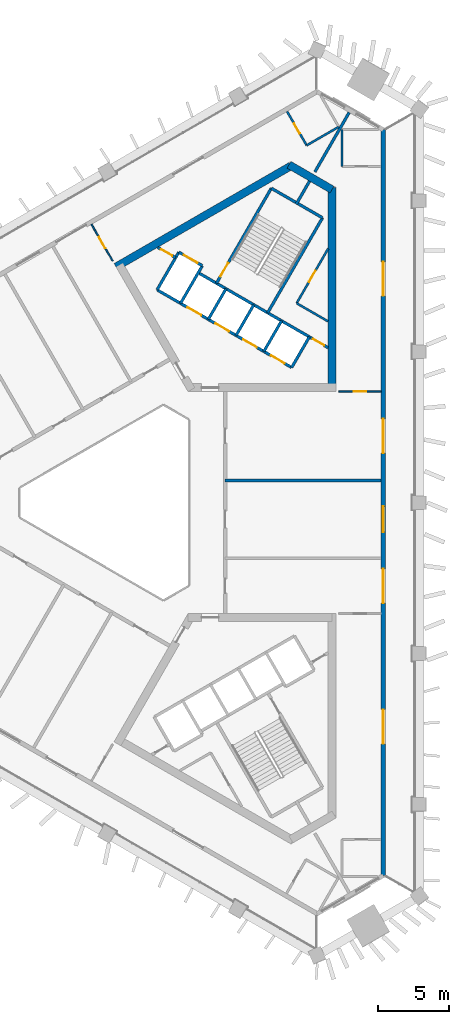
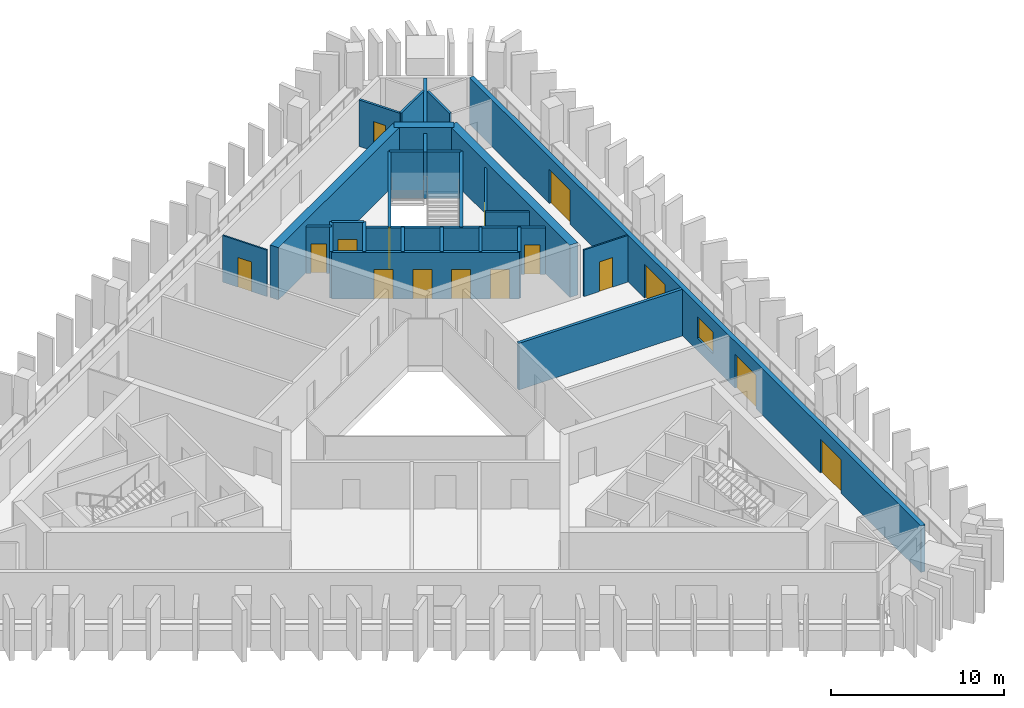
# One storey, part 5 of 9: 27 walls, 16 doors, 1 window, 17 openings.
"""IFC4 building model written with IfcOpenShell, lengths in metres."""

from ifc_helpers import new_model, si_unit, direction, frame, frame_2d, origin, place, context, subcontext, project, spatial, rectangle, extrude, material, layer, layer_set, type_object, element, fill, save


model = new_model("IFC4")

# Units and contexts
model_context = context("Model", 3, precision=1e-05, world=origin(), true_north=direction((0.0, 1.0)))
body_context = subcontext(model_context, "Body", "Model", "MODEL_VIEW")
ifc_project = project(units=[si_unit("LENGTHUNIT", "METRE"), si_unit("AREAUNIT", "SQUARE_METRE"), si_unit("VOLUMEUNIT", "CUBIC_METRE"), si_unit("PLANEANGLEUNIT", "RADIAN"), si_unit("MASSUNIT", "GRAM", prefix="KILO")], contexts=[model_context])

# Site, building, storey
site_placement = place(None, origin())
site = spatial("IfcSite", under=ifc_project, at=site_placement, CompositionType="ELEMENT")
building_placement = place(site_placement, origin())
building = spatial("IfcBuilding", under=site, at=building_placement, Name="Jabali Bay Hotel Tower and Convention Centre", CompositionType="ELEMENT")
storey_placement = place(building_placement, frame((0.0, 0.0, 193.300048828125)))
storey = spatial("IfcBuildingStorey", under=building, at=storey_placement, Name="L47", CompositionType="ELEMENT", Elevation=193.300048828125)

# Wall
ifc_material_1 = material(Name="Concrete C40", Category="concrete")
ifc_layer_1 = layer(ifc_material_1, 0.199951171875)
ifc_layer_set_1 = layer_set([ifc_layer_1], Name="Concrete C40")
wall_type_1 = type_object("IfcWallType", Name="Core partition wall 200", PredefinedType="PARTITIONING", material=ifc_layer_set_1)
wall_1_placement = place(storey_placement, frame((87.090087890625, 100.9404296875, 0.0), z_axis=(0.0, 0.0, 1.0), x_axis=(0.499951854219, 0.86605319898, 0.0)))
element("IfcWall", 1, at=wall_1_placement, inside=storey, type_object=wall_type_1, Name="Core wall 1.5 L47", PredefinedType="PARTITIONING", context=body_context, shape_type="SweptSolid", body=[
    extrude(rectangle(XDim=1.873291015625, YDim=0.199951171875, at=frame_2d((0.9365234375, 0.0))), origin(), (0.0, 0.0, 1.0), 3.300048828125),
])

# Wall, opening, door
wall_2_placement = place(storey_placement, frame((78.630126953125, 97.187744140625, 0.0), z_axis=(0.0, 0.0, 1.0), x_axis=(-0.866003949776, 0.500037157592, 0.0)))
wall_2 = element("IfcWall", 2, at=wall_2_placement, inside=storey, type_object=wall_type_1, Name="Core wall 1.12 L47", PredefinedType="PARTITIONING", context=body_context, shape_type="SweptSolid", body=[
    extrude(rectangle(XDim=1.455078125, YDim=0.199951171875, at=frame_2d((0.7275390625, 0.0))), origin(), (0.0, 0.0, 1.0), 3.300048828125),
])
opening_1_placement = place(wall_2_placement, frame((0.277587890625, 0.0, 0.0)))
opening_1 = element("IfcOpeningElement", 3, at=opening_1_placement, cuts=wall_2, Name="Opening D1018", PredefinedType="OPENING", context=body_context, shape_type="SweptSolid", body=[
    extrude(rectangle(XDim=0.89990234375, YDim=2.10009765625, at=frame_2d((0.449951171875, 1.050048828125))), frame((0.0, 0.1103515625, 0.0), z_axis=(0.0, -1.0, 0.0), x_axis=(1.0, 0.0, 0.0)), (0.0, 0.0, 1.0), 0.220947265625),
])
ifc_material_2 = material(Name="Fire-rated steel door", Category="steel")
door_type_1 = type_object("IfcDoorType", Name="Vestibule fire door 900 x 2100", OperationType="NOTDEFINED", PredefinedType="NOTDEFINED", material=ifc_material_2)
door_1_placement = place(opening_1_placement, origin())
door_1 = element("IfcDoor", 4, at=door_1_placement, inside=storey, type_object=door_type_1, Name="Vestibule fire door D1018", OperationType="SINGLE_SWING_LEFT", OverallHeight=2.10009765625, OverallWidth=0.89990234375, PredefinedType="NOTDEFINED", context=body_context, shape_type="SweptSolid", body=[
    extrude(rectangle(XDim=0.89990234375, YDim=2.10009765625, at=frame_2d((0.449951171875, 1.050048828125))), frame((0.0, 0.02490234375, 0.0), z_axis=(0.0, -1.0, 0.0), x_axis=(1.0, 0.0, 0.0)), (0.0, 0.0, 1.0), 0.050048828125),
])
fill(opening_1, door_1)

ifc_material_3 = material(Name="Fire-rated board partition")
ifc_layer_2 = layer(ifc_material_3, 0.14990234375)
ifc_layer_set_2 = layer_set([ifc_layer_2], Name="Fire-rated board partition")
wall_type_2 = type_object("IfcWallType", Name="Core room partition 150", PredefinedType="PARTITIONING", material=ifc_layer_set_2)
wall_3_placement = place(storey_placement, frame((87.12109375, 93.994384765625, 0.0), z_axis=(0.0, 0.0, 1.0), x_axis=(0.500014254795, 0.866017173618, 0.0)))
wall_3 = element("IfcWall", 5, at=wall_3_placement, inside=storey, type_object=wall_type_2, Name="Core wall 1.1 L47", PredefinedType="PARTITIONING", context=body_context, shape_type="SweptSolid", body=[
    extrude(rectangle(XDim=4.417724609375, YDim=0.14990234375, at=frame_2d((2.208984375, 0.0))), origin(), (0.0, 0.0, 1.0), 3.300048828125),
])
opening_2_placement = place(wall_3_placement, frame((1.7314453125, 0.0, 0.0)))
opening_2 = element("IfcOpeningElement", 6, at=opening_2_placement, cuts=wall_3, Name="Opening D1021", PredefinedType="OPENING", context=body_context, shape_type="SweptSolid", body=[
    extrude(rectangle(XDim=0.89990234375, YDim=2.10009765625, at=frame_2d((0.449951171875, 1.050048828125))), frame((0.0, 0.08544921875, 0.0), z_axis=(0.0, -1.0, 0.0), x_axis=(1.0, 0.0, 0.0)), (0.0, 0.0, 1.0), 0.1708984375),
])
door_type_2 = type_object("IfcDoorType", Name="Core room door 900 x 2100", OperationType="NOTDEFINED", PredefinedType="NOTDEFINED", material=ifc_material_2)
door_2_placement = place(opening_2_placement, origin())
door_2 = element("IfcDoor", 7, at=door_2_placement, inside=storey, type_object=door_type_2, Name="Core room door D1021", OperationType="SINGLE_SWING_LEFT", OverallHeight=2.10009765625, OverallWidth=0.89990234375, PredefinedType="NOTDEFINED", context=body_context, shape_type="SweptSolid", body=[
    extrude(rectangle(XDim=0.89990234375, YDim=2.10009765625, at=frame_2d((0.449951171875, 1.050048828125))), frame((0.0, 0.02490234375, 0.0), z_axis=(0.0, -1.0, 0.0), x_axis=(1.0, 0.0, 0.0)), (0.0, 0.0, 1.0), 0.050048828125),
])
fill(opening_2, door_2)

# Walls
wall_4_placement = place(storey_placement, frame((89.330078125, 92.718994140625, 0.0), z_axis=(0.0, 0.0, 1.0), x_axis=(-0.866019818373, 0.500009674092, 0.0)))
element("IfcWall", 8, at=wall_4_placement, inside=storey, type_object=wall_type_2, Name="Core wall 1.14 L47", PredefinedType="PARTITIONING", context=body_context, shape_type="SweptSolid", body=[
    extrude(rectangle(XDim=2.55078125, YDim=0.14990234375, at=frame_2d((1.275390625, 0.0))), origin(), (0.0, 0.0, 1.0), 3.300048828125),
])
ifc_layer_3 = layer(ifc_material_1, 0.199951171875)
ifc_layer_set_3 = layer_set([ifc_layer_3], Name="Concrete C40")
wall_type_3 = type_object("IfcWallType", Name="Core stair wall 200", PredefinedType="SOLIDWALL", material=ifc_layer_set_3)
for number, where, z_axis, x_axis, name in (
    (9, (86.769775390625, 89.48583984375, 0.0), (0.0, 0.0, 1.0), (0.499961042966, 0.86604789447, 0.0), "Core wall 1.0 L47"),
    (10, (84.8212890625, 90.61083984375, 0.0), (0.0, 0.0, 1.0), (0.499961042966, 0.86604789447, 0.0), "Core wall 1.2 L47"),
):
    element("IfcWall", number, at=place(storey_placement, frame(where, z_axis=z_axis, x_axis=x_axis)), inside=storey, type_object=wall_type_3, Name=name, PredefinedType="SOLIDWALL", context=body_context, shape_type="SweptSolid", body=[
        extrude(rectangle(XDim=2.480224609375, YDim=0.199951171875, at=frame_2d((1.240234375, 0.0))), origin(), (0.0, 0.0, 1.0), 3.300048828125),
    ])
wall_5_placement = place(storey_placement, frame((85.0869140625, 93.3212890625, 0.0), z_axis=(0.0, 0.0, 1.0), x_axis=(0.500019787375, 0.866013979237, 0.0)))
element("IfcWall", 11, at=wall_5_placement, inside=storey, type_object=wall_type_3, Name="Core wall 1.3 L47", PredefinedType="SOLIDWALL", context=body_context, shape_type="SweptSolid", body=[
    extrude(rectangle(XDim=7.699951171875, YDim=0.199951171875, at=frame_2d((3.85009765625, 0.0))), origin(), (0.0, 0.0, 1.0), 3.300048828125),
])
for number, where, z_axis, x_axis, name in (
    (12, (82.872802734375, 91.73583984375, 0.0), (0.0, 0.0, 1.0), (0.499961042966, 0.86604789447, 0.0), "Core wall 1.4 L47"),
    (13, (80.924072265625, 92.86083984375, 0.0), (0.0, 0.0, 1.0), (0.499961042966, 0.86604789447, 0.0), "Core wall 1.6 L47"),
):
    element("IfcWall", number, at=place(storey_placement, frame(where, z_axis=z_axis, x_axis=x_axis)), inside=storey, type_object=wall_type_3, Name=name, PredefinedType="SOLIDWALL", context=body_context, shape_type="SweptSolid", body=[
        extrude(rectangle(XDim=2.480224609375, YDim=0.199951171875, at=frame_2d((1.240234375, 0.0))), origin(), (0.0, 0.0, 1.0), 3.300048828125),
    ])

# Wall, opening, door
wall_6_placement = place(storey_placement, frame((81.492919921875, 95.396240234375, 0.0), z_axis=(0.0, 0.0, 1.0), x_axis=(0.500006057782, 0.866021906294, 0.0)))
wall_6 = element("IfcWall", 14, at=wall_6_placement, inside=storey, type_object=wall_type_3, Name="Core wall 1.7 L47", PredefinedType="SOLIDWALL", context=body_context, shape_type="SweptSolid", body=[
    extrude(rectangle(XDim=7.7001953125, YDim=0.199951171875, at=frame_2d((3.85009765625, 0.0))), origin(), (0.0, 0.0, 1.0), 3.300048828125),
])
opening_3_placement = place(wall_6_placement, frame((0.550048828125, 0.0, 0.0)))
opening_3 = element("IfcOpeningElement", 15, at=opening_3_placement, cuts=wall_6, Name="Opening D1020", PredefinedType="OPENING", context=body_context, shape_type="SweptSolid", body=[
    extrude(rectangle(XDim=1.10009765625, YDim=2.10009765625, at=frame_2d((0.550048828125, 1.050048828125))), frame((0.0, 0.1103515625, 0.0), z_axis=(0.0, -1.0, 0.0), x_axis=(1.0, 0.0, 0.0)), (0.0, 0.0, 1.0), 0.220947265625),
])
door_type_3 = type_object("IfcDoorType", Name="Stair fire door 1100 x 2100", OperationType="NOTDEFINED", PredefinedType="NOTDEFINED", material=ifc_material_2)
door_3_placement = place(opening_3_placement, origin())
door_3 = element("IfcDoor", 16, at=door_3_placement, inside=storey, type_object=door_type_3, Name="Stair fire door D1020", OperationType="SINGLE_SWING_RIGHT", OverallHeight=2.10009765625, OverallWidth=1.10009765625, PredefinedType="NOTDEFINED", context=body_context, shape_type="SweptSolid", body=[
    extrude(rectangle(XDim=1.10009765625, YDim=2.10009765625, at=frame_2d((0.550048828125, 1.050048828125))), frame((0.0, 0.02490234375, 0.0), z_axis=(0.0, -1.0, 0.0), x_axis=(1.0, 0.0, 0.0)), (0.0, 0.0, 1.0), 0.050048828125),
])
fill(opening_3, door_3)

# Walls
for number, where, z_axis, x_axis, name in (
    (17, (78.9755859375, 93.98583984375, 0.0), (0.0, 0.0, 1.0), (0.499944174705, 0.866057632134, 0.0), "Core wall 1.8 L47"),
    (18, (77.330078125, 94.93603515625, 0.0), (0.0, 0.0, 1.0), (0.500038867431, 0.8660029625, 0.0), "Core wall 1.9 L47"),
):
    element("IfcWall", number, at=place(storey_placement, frame(where, z_axis=z_axis, x_axis=x_axis)), inside=storey, type_object=wall_type_3, Name=name, PredefinedType="SOLIDWALL", context=body_context, shape_type="SweptSolid", body=[
        extrude(rectangle(XDim=3.050048828125, YDim=0.199951171875, at=frame_2d((1.52490234375, 0.0))), origin(), (0.0, 0.0, 1.0), 3.300048828125),
    ])

# Wall, openings, doors
wall_7_placement = place(storey_placement, frame((86.769775390625, 89.48583984375, 0.0), z_axis=(0.0, 0.0, 1.0), x_axis=(-0.86601811187, 0.500012629753, 0.0)))
wall_7 = element("IfcWall", 19, at=wall_7_placement, inside=storey, type_object=wall_type_3, Name="Core wall 1.10 L47", PredefinedType="SOLIDWALL", context=body_context, shape_type="SweptSolid", body=[
    extrude(rectangle(XDim=10.900146484375, YDim=0.199951171875, at=frame_2d((5.4501953125, 0.0))), origin(), (0.0, 0.0, 1.0), 3.300048828125),
])
opening_4_placement = place(wall_7_placement, frame((0.574951171875, 0.0, 0.0)))
opening_4 = element("IfcOpeningElement", 20, at=opening_4_placement, cuts=wall_7, Name="Opening LD6-L47", PredefinedType="OPENING", context=body_context, shape_type="SweptSolid", body=[
    extrude(rectangle(XDim=1.10009765625, YDim=2.10009765625, at=frame_2d((0.550048828125, 1.050048828125))), frame((0.0, 0.1103515625, 0.0), z_axis=(0.0, -1.0, 0.0), x_axis=(1.0, 0.0, 0.0)), (0.0, 0.0, 1.0), 0.220947265625),
])
opening_5_placement = place(wall_7_placement, frame((2.824951171875, 0.0, 0.0)))
opening_5 = element("IfcOpeningElement", 21, at=opening_5_placement, cuts=wall_7, Name="Opening LD7-L47", PredefinedType="OPENING", context=body_context, shape_type="SweptSolid", body=[
    extrude(rectangle(XDim=1.10009765625, YDim=2.10009765625, at=frame_2d((0.550048828125, 1.050048828125))), frame((0.0, 0.1103515625, 0.0), z_axis=(0.0, -1.0, 0.0), x_axis=(1.0, 0.0, 0.0)), (0.0, 0.0, 1.0), 0.220947265625),
])
opening_6_placement = place(wall_7_placement, frame((5.074951171875, 0.0, 0.0)))
opening_6 = element("IfcOpeningElement", 22, at=opening_6_placement, cuts=wall_7, Name="Opening LD8-L47", PredefinedType="OPENING", context=body_context, shape_type="SweptSolid", body=[
    extrude(rectangle(XDim=1.10009765625, YDim=2.10009765625, at=frame_2d((0.550048828125, 1.050048828125))), frame((0.0, 0.1103515625, 0.0), z_axis=(0.0, -1.0, 0.0), x_axis=(1.0, 0.0, 0.0)), (0.0, 0.0, 1.0), 0.220947265625),
])
opening_7_placement = place(wall_7_placement, frame((7.324951171875, 0.0, 0.0)))
opening_7 = element("IfcOpeningElement", 23, at=opening_7_placement, cuts=wall_7, Name="Opening LD9-L47", PredefinedType="OPENING", context=body_context, shape_type="SweptSolid", body=[
    extrude(rectangle(XDim=1.10009765625, YDim=2.10009765625, at=frame_2d((0.550048828125, 1.050048828125))), frame((0.0, 0.1103515625, 0.0), z_axis=(0.0, -1.0, 0.0), x_axis=(1.0, 0.0, 0.0)), (0.0, 0.0, 1.0), 0.220947265625),
])
ifc_material_4 = material(Name="Stainless steel landing door", Category="steel")
door_type_4 = type_object("IfcDoorType", Name="Landing door 1100 x 2100", OperationType="NOTDEFINED", PredefinedType="NOTDEFINED", material=ifc_material_4)
door_4_placement = place(opening_4_placement, origin())
door_4 = element("IfcDoor", 24, at=door_4_placement, inside=storey, type_object=door_type_4, Name="Landing doors LD6-L47", OperationType="SLIDING_TO_RIGHT", OverallHeight=2.10009765625, OverallWidth=1.10009765625, PredefinedType="NOTDEFINED", context=body_context, shape_type="SweptSolid", body=[
    extrude(rectangle(XDim=1.10009765625, YDim=2.10009765625, at=frame_2d((0.550048828125, 1.050048828125))), frame((0.0, 0.02490234375, 0.0), z_axis=(0.0, -1.0, 0.0), x_axis=(1.0, 0.0, 0.0)), (0.0, 0.0, 1.0), 0.050048828125),
])
fill(opening_4, door_4)
door_5_placement = place(opening_5_placement, origin())
door_5 = element("IfcDoor", 25, at=door_5_placement, inside=storey, type_object=door_type_4, Name="Landing doors LD7-L47", OperationType="SLIDING_TO_LEFT", OverallHeight=2.10009765625, OverallWidth=1.10009765625, PredefinedType="NOTDEFINED", context=body_context, shape_type="SweptSolid", body=[
    extrude(rectangle(XDim=1.10009765625, YDim=2.10009765625, at=frame_2d((0.550048828125, 1.050048828125))), frame((0.0, 0.02490234375, 0.0), z_axis=(0.0, -1.0, 0.0), x_axis=(1.0, 0.0, 0.0)), (0.0, 0.0, 1.0), 0.050048828125),
])
fill(opening_5, door_5)
door_6_placement = place(opening_6_placement, origin())
door_6 = element("IfcDoor", 26, at=door_6_placement, inside=storey, type_object=door_type_4, Name="Landing doors LD8-L47", OperationType="SLIDING_TO_RIGHT", OverallHeight=2.10009765625, OverallWidth=1.10009765625, PredefinedType="NOTDEFINED", context=body_context, shape_type="SweptSolid", body=[
    extrude(rectangle(XDim=1.10009765625, YDim=2.10009765625, at=frame_2d((0.550048828125, 1.050048828125))), frame((0.0, 0.02490234375, 0.0), z_axis=(0.0, -1.0, 0.0), x_axis=(1.0, 0.0, 0.0)), (0.0, 0.0, 1.0), 0.050048828125),
])
fill(opening_6, door_6)
door_7_placement = place(opening_7_placement, origin())
door_7 = element("IfcDoor", 27, at=door_7_placement, inside=storey, type_object=door_type_4, Name="Landing doors LD9-L47", OperationType="SLIDING_TO_LEFT", OverallHeight=2.10009765625, OverallWidth=1.10009765625, PredefinedType="NOTDEFINED", context=body_context, shape_type="SweptSolid", body=[
    extrude(rectangle(XDim=1.10009765625, YDim=2.10009765625, at=frame_2d((0.550048828125, 1.050048828125))), frame((0.0, 0.02490234375, 0.0), z_axis=(0.0, -1.0, 0.0), x_axis=(1.0, 0.0, 0.0)), (0.0, 0.0, 1.0), 0.050048828125),
])
fill(opening_7, door_7)

# Wall, opening, door
wall_8_placement = place(storey_placement, frame((89.330078125, 90.87158203125, 0.0), z_axis=(0.0, 0.0, 1.0), x_axis=(-0.866027589512, 0.49999621419, 0.0)))
wall_8 = element("IfcWall", 28, at=wall_8_placement, inside=storey, type_object=wall_type_3, Name="Core wall 1.11 L47", PredefinedType="SOLIDWALL", context=body_context, shape_type="SweptSolid", body=[
    extrude(rectangle(XDim=10.5244140625, YDim=0.199951171875, at=frame_2d((5.26220703125, 0.0))), origin(), (0.0, 0.0, 1.0), 3.300048828125),
])
opening_8_placement = place(wall_8_placement, frame((0.312255859375, 0.0, 0.0)))
opening_8 = element("IfcOpeningElement", 29, at=opening_8_placement, cuts=wall_8, Name="Opening D1019", PredefinedType="OPENING", context=body_context, shape_type="SweptSolid", body=[
    extrude(rectangle(XDim=0.89990234375, YDim=2.10009765625, at=frame_2d((0.449951171875, 1.050048828125))), frame((0.0, 0.1103515625, 0.0), z_axis=(0.0, -1.0, 0.0), x_axis=(1.0, 0.0, 0.0)), (0.0, 0.0, 1.0), 0.220947265625),
])
door_8_placement = place(opening_8_placement, origin())
door_8 = element("IfcDoor", 30, at=door_8_placement, inside=storey, type_object=door_type_1, Name="Vestibule fire door D1019", OperationType="SINGLE_SWING_LEFT", OverallHeight=2.10009765625, OverallWidth=0.89990234375, PredefinedType="NOTDEFINED", context=body_context, shape_type="SweptSolid", body=[
    extrude(rectangle(XDim=0.89990234375, YDim=2.10009765625, at=frame_2d((0.449951171875, 1.050048828125))), frame((0.0, 0.02490234375, 0.0), z_axis=(0.0, -1.0, 0.0), x_axis=(1.0, 0.0, 0.0)), (0.0, 0.0, 1.0), 0.050048828125),
])
fill(opening_8, door_8)

wall_9_placement = place(storey_placement, frame((80.50048828125, 96.62744140625, 0.0), z_axis=(0.0, 0.0, 1.0), x_axis=(-0.86601224135, 0.500022797313, 0.0)))
wall_9 = element("IfcWall", 31, at=wall_9_placement, inside=storey, type_object=wall_type_3, Name="Core wall 1.13 L47", PredefinedType="SOLIDWALL", context=body_context, shape_type="SweptSolid", body=[
    extrude(rectangle(XDim=1.89990234375, YDim=0.199951171875, at=frame_2d((0.949951171875, 0.0))), origin(), (0.0, 0.0, 1.0), 3.300048828125),
])
opening_9_placement = place(wall_9_placement, frame((0.39990234375, 0.0, 0.0)))
opening_9 = element("IfcOpeningElement", 32, at=opening_9_placement, cuts=wall_9, Name="Opening LD10-L47", PredefinedType="OPENING", context=body_context, shape_type="SweptSolid", body=[
    extrude(rectangle(XDim=1.10009765625, YDim=2.10009765625, at=frame_2d((0.550048828125, 1.050048828125))), frame((0.0, 0.1103515625, 0.0), z_axis=(0.0, -1.0, 0.0), x_axis=(1.0, 0.0, 0.0)), (0.0, 0.0, 1.0), 0.220947265625),
])
door_9_placement = place(opening_9_placement, origin())
door_9 = element("IfcDoor", 33, at=door_9_placement, inside=storey, type_object=door_type_4, Name="Landing doors LD10-L47", OperationType="SLIDING_TO_RIGHT", OverallHeight=2.10009765625, OverallWidth=1.10009765625, PredefinedType="NOTDEFINED", context=body_context, shape_type="SweptSolid", body=[
    extrude(rectangle(XDim=1.10009765625, YDim=2.10009765625, at=frame_2d((0.550048828125, 1.050048828125))), frame((0.0, 0.02490234375, 0.0), z_axis=(0.0, -1.0, 0.0), x_axis=(1.0, 0.0, 0.0)), (0.0, 0.0, 1.0), 0.050048828125),
])
fill(opening_9, door_9)

# Walls
wall_10_placement = place(storey_placement, frame((88.93701171875, 99.989501953125, 0.0), z_axis=(0.0, 0.0, 1.0), x_axis=(-0.866004344652, 0.500036473714, 0.0)))
element("IfcWall", 34, at=wall_10_placement, inside=storey, type_object=wall_type_3, Name="Core wall 1.15 L47", PredefinedType="SOLIDWALL", context=body_context, shape_type="SweptSolid", body=[
    extrude(rectangle(XDim=4.150146484375, YDim=0.199951171875, at=frame_2d((2.0751953125, 0.0))), origin(), (0.0, 0.0, 1.0), 3.300048828125),
])
ifc_material_5 = material(Name="Concrete C60", Category="concrete")
ifc_layer_4 = layer(ifc_material_5, 0.550048828125)
ifc_layer_set_4 = layer_set([ifc_layer_4], Name="Concrete C60")
wall_type_4 = type_object("IfcWallType", Name="Core wall 550", PredefinedType="SHEAR", material=ifc_layer_set_4)
wall_11_placement = place(storey_placement, frame((89.60498046875, 88.0693359375, 0.0), z_axis=(0.0, 0.0, 1.0), x_axis=(0.0, 1.0, 0.0)))
element("IfcWall", 35, at=wall_11_placement, inside=storey, type_object=wall_type_4, Name="Core wall 2.2 L47", PredefinedType="SHEAR", context=body_context, shape_type="SweptSolid", body=[
    extrude(rectangle(XDim=14.058349609375, YDim=0.550048828125, at=frame_2d((7.029296875, 0.0))), origin(), (0.0, 0.0, 1.0), 3.699951171875),
])
wall_12_placement = place(storey_placement, frame((89.60498046875, 101.96875, 0.0), z_axis=(0.0, 0.0, 1.0), x_axis=(-0.865997833373, 0.500047750313, 0.0)))
element("IfcWall", 36, at=wall_12_placement, inside=storey, type_object=wall_type_4, Name="Core wall 2.3 L47", PredefinedType="SHEAR", context=body_context, shape_type="SweptSolid", body=[
    extrude(rectangle(XDim=3.486572265625, YDim=0.550048828125, at=frame_2d((1.7431640625, 0.0))), origin(), (0.0, 0.0, 1.0), 3.699951171875),
])
wall_13_placement = place(storey_placement, frame((86.72314453125, 103.6328125, 0.0), z_axis=(0.0, 0.0, 1.0), x_axis=(-0.866023530946, -0.500003243837, 0.0)))
element("IfcWall", 37, at=wall_13_placement, inside=storey, type_object=wall_type_4, Name="Core wall 2.4 L47", PredefinedType="SHEAR", context=body_context, shape_type="SweptSolid", body=[
    extrude(rectangle(XDim=14.1748046875, YDim=0.550048828125, at=frame_2d((7.08740234375, 0.0))), origin(), (0.0, 0.0, 1.0), 3.699951171875),
])

# Wall, openings, doors, window
ifc_layer_5 = layer(ifc_material_1, 0.300048828125)
ifc_layer_set_5 = layer_set([ifc_layer_5], Name="Concrete C40")
wall_type_5 = type_object("IfcWallType", Name="External wall 300", PredefinedType="SOLIDWALL", material=ifc_layer_set_5)
wall_14_placement = place(storey_placement, frame((93.203125, 106.17333984375, 0.0), z_axis=(0.0, 0.0, 1.0), x_axis=(0.0, -1.0, 0.0)))
wall_14 = element("IfcWall", 38, at=wall_14_placement, inside=storey, type_object=wall_type_5, Name="External wall east face L47", PredefinedType="SOLIDWALL", context=body_context, shape_type="SweptSolid", body=[
    extrude(rectangle(XDim=52.3466796875, YDim=0.300048828125, at=frame_2d((26.17333984375, 0.0))), origin(), (0.0, 0.0, 1.0), 3.300048828125),
])
opening_10_placement = place(wall_14_placement, frame((30.819091796875, 0.0, 0.0)))
opening_10 = element("IfcOpeningElement", 39, at=opening_10_placement, cuts=wall_14, Name="Opening SD1", PredefinedType="OPENING", context=body_context, shape_type="SweptSolid", body=[
    extrude(rectangle(XDim=2.39990234375, YDim=2.39990234375, at=frame_2d((1.199951171875, 1.199951171875))), frame((0.0, 0.16064453125, 0.0), z_axis=(0.0, -1.0, 0.0), x_axis=(1.0, 0.0, 0.0)), (0.0, 0.0, 1.0), 0.321044921875),
])
opening_11_placement = place(wall_14_placement, frame((40.700439453125, 0.0, 0.0)))
opening_11 = element("IfcOpeningElement", 40, at=opening_11_placement, cuts=wall_14, Name="Opening SD1", PredefinedType="OPENING", context=body_context, shape_type="SweptSolid", body=[
    extrude(rectangle(XDim=2.39990234375, YDim=2.39990234375, at=frame_2d((1.199951171875, 1.199951171875))), frame((0.0, 0.16064453125, 0.0), z_axis=(0.0, -1.0, 0.0), x_axis=(1.0, 0.0, 0.0)), (0.0, 0.0, 1.0), 0.321044921875),
])
opening_12_placement = place(wall_14_placement, frame((20.296875, 0.0, 0.0)))
opening_12 = element("IfcOpeningElement", 41, at=opening_12_placement, cuts=wall_14, Name="Opening SD1", PredefinedType="OPENING", context=body_context, shape_type="SweptSolid", body=[
    extrude(rectangle(XDim=2.39990234375, YDim=2.39990234375, at=frame_2d((1.199951171875, 1.199951171875))), frame((0.0, 0.16064453125, 0.0), z_axis=(0.0, -1.0, 0.0), x_axis=(1.0, 0.0, 0.0)), (0.0, 0.0, 1.0), 0.321044921875),
])
opening_13_placement = place(wall_14_placement, frame((9.27001953125, 0.0, 0.0)))
opening_13 = element("IfcOpeningElement", 42, at=opening_13_placement, cuts=wall_14, Name="Opening SD1", PredefinedType="OPENING", context=body_context, shape_type="SweptSolid", body=[
    extrude(rectangle(XDim=2.39990234375, YDim=2.39990234375, at=frame_2d((1.199951171875, 1.199951171875))), frame((0.0, 0.16064453125, 0.0), z_axis=(0.0, -1.0, 0.0), x_axis=(1.0, 0.0, 0.0)), (0.0, 0.0, 1.0), 0.321044921875),
])
opening_14_placement = place(wall_14_placement, frame((26.4423828125, 0.0, 0.89990234375)))
opening_14 = element("IfcOpeningElement", 43, at=opening_14_placement, cuts=wall_14, Name="Opening W1", PredefinedType="OPENING", context=body_context, shape_type="SweptSolid", body=[
    extrude(rectangle(XDim=1.800048828125, YDim=1.5, at=frame_2d((0.89990234375, 0.75))), frame((0.0, 0.16064453125, 0.0), z_axis=(0.0, -1.0, 0.0), x_axis=(1.0, 0.0, 0.0)), (0.0, 0.0, 1.0), 0.321044921875),
])
ifc_material_6 = material(Name="Glass", Category="glass")
door_type_5 = type_object("IfcDoorType", Name="Loggia sliding door 2400 x 2400", OperationType="NOTDEFINED", PredefinedType="NOTDEFINED", material=ifc_material_6)
door_10_placement = place(opening_10_placement, origin())
door_10 = element("IfcDoor", 44, at=door_10_placement, inside=storey, type_object=door_type_5, Name="Loggia sliding door 4701", OperationType="SLIDING_TO_LEFT", OverallHeight=2.39990234375, OverallWidth=2.39990234375, PredefinedType="NOTDEFINED", context=body_context, shape_type="SweptSolid", body=[
    extrude(rectangle(XDim=2.39990234375, YDim=2.39990234375, at=frame_2d((1.199951171875, 1.199951171875))), frame((0.0, 0.02490234375, 0.0), z_axis=(0.0, -1.0, 0.0), x_axis=(1.0, 0.0, 0.0)), (0.0, 0.0, 1.0), 0.050048828125),
])
fill(opening_10, door_10)
door_11_placement = place(opening_11_placement, origin())
door_11 = element("IfcDoor", 45, at=door_11_placement, inside=storey, type_object=door_type_5, Name="Loggia sliding door 4701", OperationType="SLIDING_TO_RIGHT", OverallHeight=2.39990234375, OverallWidth=2.39990234375, PredefinedType="NOTDEFINED", context=body_context, shape_type="SweptSolid", body=[
    extrude(rectangle(XDim=2.39990234375, YDim=2.39990234375, at=frame_2d((1.199951171875, 1.199951171875))), frame((0.0, 0.02490234375, 0.0), z_axis=(0.0, -1.0, 0.0), x_axis=(1.0, 0.0, 0.0)), (0.0, 0.0, 1.0), 0.050048828125),
])
fill(opening_11, door_11)
door_12_placement = place(opening_12_placement, origin())
door_12 = element("IfcDoor", 46, at=door_12_placement, inside=storey, type_object=door_type_5, Name="Loggia sliding door 4702", OperationType="SLIDING_TO_LEFT", OverallHeight=2.39990234375, OverallWidth=2.39990234375, PredefinedType="NOTDEFINED", context=body_context, shape_type="SweptSolid", body=[
    extrude(rectangle(XDim=2.39990234375, YDim=2.39990234375, at=frame_2d((1.199951171875, 1.199951171875))), frame((0.0, 0.02490234375, 0.0), z_axis=(0.0, -1.0, 0.0), x_axis=(1.0, 0.0, 0.0)), (0.0, 0.0, 1.0), 0.050048828125),
])
fill(opening_12, door_12)
door_13_placement = place(opening_13_placement, origin())
door_13 = element("IfcDoor", 47, at=door_13_placement, inside=storey, type_object=door_type_5, Name="Loggia sliding door 4702", OperationType="SLIDING_TO_RIGHT", OverallHeight=2.39990234375, OverallWidth=2.39990234375, PredefinedType="NOTDEFINED", context=body_context, shape_type="SweptSolid", body=[
    extrude(rectangle(XDim=2.39990234375, YDim=2.39990234375, at=frame_2d((1.199951171875, 1.199951171875))), frame((0.0, 0.02490234375, 0.0), z_axis=(0.0, -1.0, 0.0), x_axis=(1.0, 0.0, 0.0)), (0.0, 0.0, 1.0), 0.050048828125),
])
fill(opening_13, door_13)
window_type = type_object("IfcWindowType", Name="Window 1800 x 1500", PartitioningType="SINGLE_PANEL", PredefinedType="WINDOW", material=ifc_material_6)
window_placement = place(opening_14_placement, origin())
window = element("IfcWindow", 48, at=window_placement, inside=storey, type_object=window_type, Name="Window", OverallHeight=1.5, OverallWidth=1.800048828125, PartitioningType="SINGLE_PANEL", PredefinedType="WINDOW", context=body_context, shape_type="SweptSolid", body=[
    extrude(rectangle(XDim=1.800048828125, YDim=1.5, at=frame_2d((0.89990234375, 0.75))), frame((0.0, 0.030029296875, 0.0), z_axis=(0.0, -1.0, 0.0), x_axis=(1.0, 0.0, 0.0)), (0.0, 0.0, 1.0), 0.06005859375),
])
fill(opening_14, window)

# Wall, opening, door
ifc_material_7 = material(Name="Plasterboard on steel stud", Category="steel")
ifc_layer_6 = layer(ifc_material_7, 0.10009765625)
ifc_layer_set_6 = layer_set([ifc_layer_6], Name="Plasterboard on steel stud")
wall_type_6 = type_object("IfcWallType", Name="Partition 100 unit", PredefinedType="PARTITIONING", material=ifc_layer_set_6)
wall_15_placement = place(storey_placement, frame((93.05419921875, 87.794189453125, 0.0), z_axis=(0.0, 0.0, 1.0), x_axis=(-1.0, 0.0, 0.0)))
wall_15 = element("IfcWall", 49, at=wall_15_placement, inside=storey, type_object=wall_type_6, Name="Partition P02 L47 008", PredefinedType="PARTITIONING", context=body_context, shape_type="SweptSolid", body=[
    extrude(rectangle(XDim=2.97509765625, YDim=0.10009765625, at=frame_2d((1.487548828125, 0.0))), origin(), (0.0, 0.0, 1.0), 3.300048828125),
])
opening_15_placement = place(wall_15_placement, frame((1.0380859375, 0.0, 0.0)))
opening_15 = element("IfcOpeningElement", 50, at=opening_15_placement, cuts=wall_15, Name="Opening 4706", PredefinedType="OPENING", context=body_context, shape_type="SweptSolid", body=[
    extrude(rectangle(XDim=0.89990234375, YDim=2.10009765625, at=frame_2d((0.449951171875, 1.050048828125))), frame((0.0, 0.060546875, 0.0), z_axis=(0.0, -1.0, 0.0), x_axis=(1.0, 0.0, 0.0)), (0.0, 0.0, 1.0), 0.12109375),
])
ifc_material_8 = material(Name="Timber", Category="wood")
door_type_6 = type_object("IfcDoorType", Name="Internal door 900 x 2100", OperationType="NOTDEFINED", PredefinedType="NOTDEFINED", material=ifc_material_8)
door_14_placement = place(opening_15_placement, origin())
door_14 = element("IfcDoor", 51, at=door_14_placement, inside=storey, type_object=door_type_6, Name="Door 4706", OperationType="SINGLE_SWING_RIGHT", OverallHeight=2.10009765625, OverallWidth=0.89990234375, PredefinedType="NOTDEFINED", context=body_context, shape_type="SweptSolid", body=[
    extrude(rectangle(XDim=0.89990234375, YDim=2.10009765625, at=frame_2d((0.449951171875, 1.050048828125))), frame((0.0, 0.02490234375, 0.0), z_axis=(0.0, -1.0, 0.0), x_axis=(1.0, 0.0, 0.0)), (0.0, 0.0, 1.0), 0.050048828125),
])
fill(opening_15, door_14)

wall_16_placement = place(storey_placement, frame((74.21044921875, 96.955810546875, 0.0), z_axis=(0.0, 0.0, 1.0), x_axis=(-0.49997816789, 0.866038008192, 0.0)))
wall_16 = element("IfcWall", 52, at=wall_16_placement, inside=storey, type_object=wall_type_6, Name="Partition P02 L47 013", PredefinedType="PARTITIONING", context=body_context, shape_type="SweptSolid", body=[
    extrude(rectangle(XDim=2.975341796875, YDim=0.10009765625, at=frame_2d((1.48779296875, 0.0))), origin(), (0.0, 0.0, 1.0), 3.300048828125),
])
opening_16_placement = place(wall_16_placement, frame((1.0380859375, 0.0, 0.0)))
opening_16 = element("IfcOpeningElement", 53, at=opening_16_placement, cuts=wall_16, Name="Opening 4709", PredefinedType="OPENING", context=body_context, shape_type="SweptSolid", body=[
    extrude(rectangle(XDim=0.89990234375, YDim=2.10009765625, at=frame_2d((0.449951171875, 1.050048828125))), frame((0.0, 0.060546875, 0.0), z_axis=(0.0, -1.0, 0.0), x_axis=(1.0, 0.0, 0.0)), (0.0, 0.0, 1.0), 0.12109375),
])
door_15_placement = place(opening_16_placement, origin())
door_15 = element("IfcDoor", 54, at=door_15_placement, inside=storey, type_object=door_type_6, Name="Door 4709", OperationType="SINGLE_SWING_RIGHT", OverallHeight=2.10009765625, OverallWidth=0.89990234375, PredefinedType="NOTDEFINED", context=body_context, shape_type="SweptSolid", body=[
    extrude(rectangle(XDim=0.89990234375, YDim=2.10009765625, at=frame_2d((0.449951171875, 1.050048828125))), frame((0.0, 0.02490234375, 0.0), z_axis=(0.0, -1.0, 0.0), x_axis=(1.0, 0.0, 0.0)), (0.0, 0.0, 1.0), 0.050048828125),
])
fill(opening_16, door_15)

# Walls
ifc_layer_7 = layer(ifc_material_7, 0.14990234375)
ifc_layer_set_7 = layer_set([ifc_layer_7], Name="Plasterboard on steel stud")
wall_type_7 = type_object("IfcWallType", Name="Partition 150 wet", PredefinedType="PARTITIONING", material=ifc_layer_set_7)
wall_17_placement = place(storey_placement, frame((90.301513671875, 103.59423828125, 0.0), z_axis=(0.0, 0.0, 1.0), x_axis=(0.0, 1.0, 0.0)))
element("IfcWall", 55, at=wall_17_placement, inside=storey, type_object=wall_type_7, Name="Partition P03 L47 010", PredefinedType="PARTITIONING", context=body_context, shape_type="SweptSolid", body=[
    extrude(rectangle(XDim=2.60009765625, YDim=0.14990234375, at=frame_2d((1.300048828125, 0.0))), origin(), (0.0, 0.0, 1.0), 3.300048828125),
])
wall_18_placement = place(storey_placement, frame((90.075439453125, 106.37255859375, 0.0), z_axis=(0.0, 0.0, 1.0), x_axis=(-0.865997922154, -0.500047596559, 0.0)))
element("IfcWall", 56, at=wall_18_placement, inside=storey, type_object=wall_type_7, Name="Partition P03 L47 016", PredefinedType="PARTITIONING", context=body_context, shape_type="SweptSolid", body=[
    extrude(rectangle(XDim=2.599853515625, YDim=0.14990234375, at=frame_2d((1.2998046875, 0.0))), origin(), (0.0, 0.0, 1.0), 3.300048828125),
])

# Wall, opening, door
wall_19_placement = place(storey_placement, frame((87.823974609375, 105.072509765625, 0.0), z_axis=(0.0, 0.0, 1.0), x_axis=(-0.50005002002, 0.865996522787, 0.0)))
wall_19 = element("IfcWall", 57, at=wall_19_placement, inside=storey, type_object=wall_type_7, Name="Partition P03 L47 017", PredefinedType="PARTITIONING", context=body_context, shape_type="SweptSolid", body=[
    extrude(rectangle(XDim=2.752685546875, YDim=0.14990234375, at=frame_2d((1.37646484375, 0.0))), origin(), (0.0, 0.0, 1.0), 3.300048828125),
])
opening_17_placement = place(wall_19_placement, frame((0.97607421875, 0.0, 0.0)))
opening_17 = element("IfcOpeningElement", 58, at=opening_17_placement, cuts=wall_19, Name="Opening 4710", PredefinedType="OPENING", context=body_context, shape_type="SweptSolid", body=[
    extrude(rectangle(XDim=0.800048828125, YDim=2.10009765625, at=frame_2d((0.39990234375, 1.050048828125))), frame((0.0, 0.08544921875, 0.0), z_axis=(0.0, -1.0, 0.0), x_axis=(1.0, 0.0, 0.0)), (0.0, 0.0, 1.0), 0.1708984375),
])
door_type_7 = type_object("IfcDoorType", Name="En-suite door 800 x 2100", OperationType="NOTDEFINED", PredefinedType="NOTDEFINED", material=ifc_material_8)
door_16_placement = place(opening_17_placement, origin())
door_16 = element("IfcDoor", 59, at=door_16_placement, inside=storey, type_object=door_type_7, Name="Door 4710", OperationType="SINGLE_SWING_RIGHT", OverallHeight=2.10009765625, OverallWidth=0.800048828125, PredefinedType="NOTDEFINED", context=body_context, shape_type="SweptSolid", body=[
    extrude(rectangle(XDim=0.800048828125, YDim=2.10009765625, at=frame_2d((0.39990234375, 1.050048828125))), frame((0.0, 0.02490234375, 0.0), z_axis=(0.0, -1.0, 0.0), x_axis=(1.0, 0.0, 0.0)), (0.0, 0.0, 1.0), 0.050048828125),
])
fill(opening_17, door_16)

# Walls
ifc_layer_8 = layer(ifc_material_7, 0.199951171875)
ifc_layer_set_8 = layer_set([ifc_layer_8], Name="Plasterboard on steel stud")
wall_type_8 = type_object("IfcWallType", Name="Partition 200 party", PredefinedType="PARTITIONING", material=ifc_layer_set_8)
wall_20_placement = place(storey_placement, frame((93.05419921875, 81.558837890625, 0.0), z_axis=(0.0, 0.0, 1.0), x_axis=(-1.0, 0.0, 0.0)))
element("IfcWall", 60, at=wall_20_placement, inside=storey, type_object=wall_type_8, Name="Partition P01 L47 007", PredefinedType="PARTITIONING", context=body_context, shape_type="SweptSolid", body=[
    extrude(rectangle(XDim=10.9541015625, YDim=0.199951171875, at=frame_2d((5.47705078125, 0.0))), origin(), (0.0, 0.0, 1.0), 3.300048828125),
])
wall_21_placement = place(storey_placement, frame((90.8095703125, 107.383056640625, 0.0), z_axis=(0.0, 0.0, 1.0), x_axis=(-0.499971058166, -0.866042112715, 0.0)))
element("IfcWall", 61, at=wall_21_placement, inside=storey, type_object=wall_type_8, Name="Partition P01 L47 012", PredefinedType="PARTITIONING", context=body_context, shape_type="SweptSolid", body=[
    extrude(rectangle(XDim=4.817138671875, YDim=0.199951171875, at=frame_2d((2.40869140625, 0.0))), origin(), (0.0, 0.0, 1.0), 3.300048828125),
])

save(model, "model.ifc")
